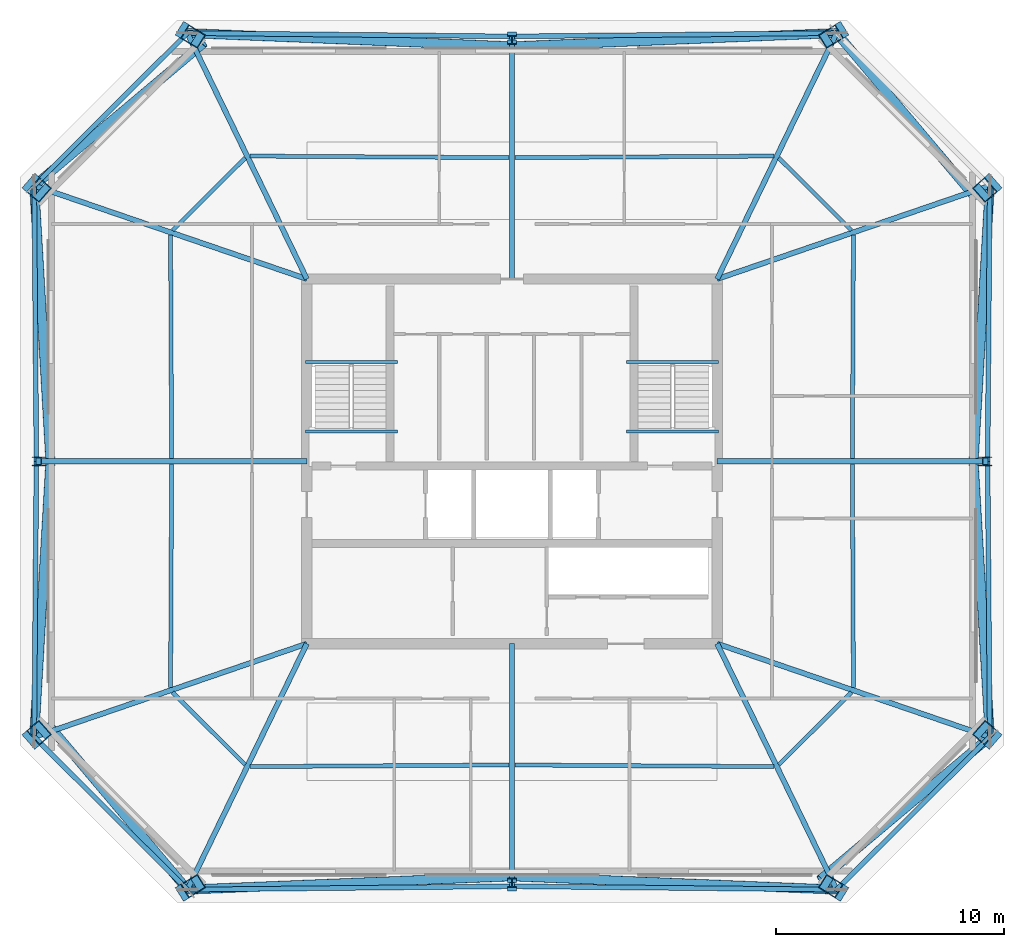
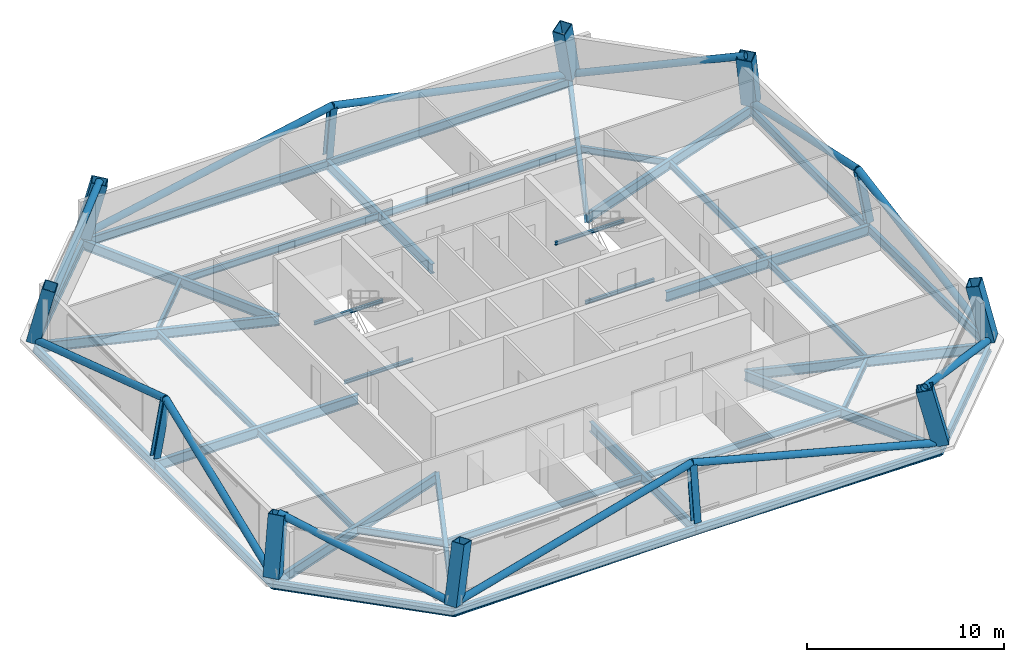
# One storey, part 1 of 6: 39 beams, 12 columns, 12 members.
"""IFC4 building model written with IfcOpenShell, lengths in metres."""

from ifc_helpers import new_model, si_unit, direction, frame, origin, origin_2d, place, context, subcontext, project, spatial, hollow_rectangle, hollow_circle, i_section, extrude, material, material_profile, profile_set, type_object, element, save


model = new_model("IFC4")

# Units and contexts
model_context = context("Model", 3, precision=1e-05, world=origin(), true_north=direction((0.0, 1.0)))
body_context = subcontext(model_context, "Body", "Model", "MODEL_VIEW")
ifc_project = project(units=[si_unit("LENGTHUNIT", "METRE"), si_unit("AREAUNIT", "SQUARE_METRE"), si_unit("VOLUMEUNIT", "CUBIC_METRE"), si_unit("PLANEANGLEUNIT", "RADIAN"), si_unit("MASSUNIT", "GRAM", prefix="KILO")], contexts=[model_context])

# Site, building, storey
site_placement = place(None, origin())
site = spatial("IfcSite", under=ifc_project, at=site_placement, CompositionType="ELEMENT")
building_placement = place(site_placement, origin())
building = spatial("IfcBuilding", under=site, at=building_placement, Name="Caelvoria Tower", CompositionType="ELEMENT")
storey_placement = place(building_placement, frame((0.0, 0.0, 216.60009765625)))
storey = spatial("IfcBuildingStorey", under=building, at=storey_placement, Name="L57", CompositionType="ELEMENT", Elevation=216.60009765625)

# Columns
ifc_material_1 = material(Name="Structural Steel ASTM A572 Gr.50", Category="steel")
ifc_material_profile_1 = material_profile(ifc_material_1, hollow_rectangle(XDim=0.699951171875, YDim=0.85009765625, WallThickness=0.0400390625, at=origin_2d()), Name="Structural Steel ASTM A572 Gr.50")
ifc_profile_set_1 = profile_set([ifc_material_profile_1], Name="BOX850X700X40 - Structural Steel ASTM A572 Gr.50")
column_type_1 = type_object("IfcColumnType", Name="Mega Box Column 850x700x40", PredefinedType="COLUMN", material=ifc_profile_set_1)
for number, where, z_axis, x_axis, name in (
    (1, (31.757568359375, 13.210205078125, 0.0), (0.205790080225, 0.127126295292, 0.970303740035), (-0.525554697107, 0.850759813548, 0.0), "Perimeter Megaframe Column L57-P00"),
    (2, (60.242431640625, 13.210205078125, 0.0), (-0.205790080225, 0.127126295292, 0.970303740035), (-0.525554697107, -0.850759813548, 0.0), "Perimeter Megaframe Column L57-P02"),
):
    element("IfcColumn", number, at=place(storey_placement, frame(where, z_axis=z_axis, x_axis=x_axis)), inside=storey, type_object=column_type_1, Name=name, PredefinedType="COLUMN", context=body_context, shape_type="SweptSolid", body=[
        extrude(hollow_rectangle(XDim=0.699951171875, YDim=0.85009765625, WallThickness=0.0400390625, at=origin_2d()), origin(), (0.0, 0.0, 1.0), 3.47607421875),
    ])
for number, where, z_axis, x_axis, name in (
    (3, (66.962890625, 19.9052734375, 0.0), (-0.177528506803, 0.155864964768, 0.97169426366), (0.730198143029, -0.641093139838, 0.236241947947), "Perimeter Megaframe Column L57-P03"),
    (4, (66.962890625, 44.0947265625, 0.0), (-0.177528506803, -0.155864964768, 0.97169426366), (0.730198143029, 0.641093139838, 0.236241947947), "Perimeter Megaframe Column L57-P05"),
):
    element("IfcColumn", number, at=place(storey_placement, frame(where, z_axis=z_axis, x_axis=x_axis)), inside=storey, type_object=column_type_1, Name=name, PredefinedType="COLUMN", context=body_context, shape_type="SweptSolid", body=[
        extrude(hollow_rectangle(XDim=0.699951171875, YDim=0.85009765625, WallThickness=0.0400390625, at=origin_2d()), origin(), (0.0, 0.0, 1.0), 3.470947265625),
    ])
for number, where, z_axis, x_axis, name in (
    (5, (60.242431640625, 50.789794921875, 0.0), (-0.205790080225, -0.127126295292, 0.970303740035), (0.525554697107, -0.850759813548, 0.0), "Perimeter Megaframe Column L57-P06"),
    (6, (31.757568359375, 50.789794921875, 0.0), (0.205790080225, -0.127126295292, 0.970303740035), (0.525554697107, 0.850759813548, 0.0), "Perimeter Megaframe Column L57-P08"),
):
    element("IfcColumn", number, at=place(storey_placement, frame(where, z_axis=z_axis, x_axis=x_axis)), inside=storey, type_object=column_type_1, Name=name, PredefinedType="COLUMN", context=body_context, shape_type="SweptSolid", body=[
        extrude(hollow_rectangle(XDim=0.699951171875, YDim=0.85009765625, WallThickness=0.0400390625, at=origin_2d()), origin(), (0.0, 0.0, 1.0), 3.47607421875),
    ])
for number, where, z_axis, x_axis, name in (
    (7, (25.037109375, 44.0947265625, 0.0), (0.177528506803, -0.155864964768, 0.97169426366), (-0.730198143029, 0.641093139838, 0.236241947947), "Perimeter Megaframe Column L57-P09"),
    (8, (25.037109375, 19.9052734375, 0.0), (0.177528506803, 0.155864964768, 0.97169426366), (-0.730198143029, -0.641093139838, 0.236241947947), "Perimeter Megaframe Column L57-P11"),
):
    element("IfcColumn", number, at=place(storey_placement, frame(where, z_axis=z_axis, x_axis=x_axis)), inside=storey, type_object=column_type_1, Name=name, PredefinedType="COLUMN", context=body_context, shape_type="SweptSolid", body=[
        extrude(hollow_rectangle(XDim=0.699951171875, YDim=0.85009765625, WallThickness=0.0400390625, at=origin_2d()), origin(), (0.0, 0.0, 1.0), 3.470947265625),
    ])
ifc_material_2 = material(Name="Structural Steel ASTM A992 Gr.50", Category="steel")
ifc_material_profile_2 = material_profile(ifc_material_2, i_section(OverallWidth=0.40087890625, OverallDepth=0.39892578125, WebThickness=0.02490234375, FlangeThickness=0.03955078125, FilletRadius=0.02490234375, at=origin_2d()), Name="Structural Steel ASTM A992 Gr.50")
ifc_profile_set_2 = profile_set([ifc_material_profile_2], Name="W360X314 - Structural Steel ASTM A992 Gr.50")
column_type_2 = type_object("IfcColumnType", Name="Upper Frame Column W360X314", PredefinedType="COLUMN", material=ifc_profile_set_2)
column_1_placement = place(storey_placement, frame((46.0, 13.3564453125, 0.0), z_axis=(0.0, 0.128283388035, 0.991737552155), x_axis=(-1.0, 0.0, 0.0)))
element("IfcColumn", 9, at=column_1_placement, inside=storey, type_object=column_type_2, Name="Perimeter Megaframe Column L57-P01", PredefinedType="COLUMN", context=body_context, shape_type="SweptSolid", body=[
    extrude(i_section(OverallWidth=0.40087890625, OverallDepth=0.39892578125, WebThickness=0.02490234375, FlangeThickness=0.03955078125, FilletRadius=0.02490234375, at=origin_2d()), origin(), (0.0, 0.0, 1.0), 3.40087890625),
])
column_2_placement = place(storey_placement, frame((66.866455078125, 32.0, 0.0), z_axis=(-0.17903584331, 0.0, 0.98384255184), x_axis=(0.98384255184, 0.0, 0.17903584331)))
element("IfcColumn", 10, at=column_2_placement, inside=storey, type_object=column_type_2, Name="Perimeter Megaframe Column L57-P04", PredefinedType="COLUMN", context=body_context, shape_type="SweptSolid", body=[
    extrude(i_section(OverallWidth=0.40087890625, OverallDepth=0.39892578125, WebThickness=0.02490234375, FlangeThickness=0.03955078125, FilletRadius=0.02490234375, at=origin_2d()), origin(), (0.0, 0.0, 1.0), 3.42822265625),
])
column_3_placement = place(storey_placement, frame((46.0, 50.6435546875, 0.0), z_axis=(0.0, -0.128283388035, 0.991737552155), x_axis=(1.0, 0.0, 0.0)))
element("IfcColumn", 11, at=column_3_placement, inside=storey, type_object=column_type_2, Name="Perimeter Megaframe Column L57-P07", PredefinedType="COLUMN", context=body_context, shape_type="SweptSolid", body=[
    extrude(i_section(OverallWidth=0.40087890625, OverallDepth=0.39892578125, WebThickness=0.02490234375, FlangeThickness=0.03955078125, FilletRadius=0.02490234375, at=origin_2d()), origin(), (0.0, 0.0, 1.0), 3.40087890625),
])
column_4_placement = place(storey_placement, frame((25.133544921875, 32.0, 0.0), z_axis=(0.17903584331, 0.0, 0.98384255184), x_axis=(-0.98384255184, 0.0, 0.17903584331)))
element("IfcColumn", 12, at=column_4_placement, inside=storey, type_object=column_type_2, Name="Perimeter Megaframe Column L57-P10", PredefinedType="COLUMN", context=body_context, shape_type="SweptSolid", body=[
    extrude(i_section(OverallWidth=0.40087890625, OverallDepth=0.39892578125, WebThickness=0.02490234375, FlangeThickness=0.03955078125, FilletRadius=0.02490234375, at=origin_2d()), origin(), (0.0, 0.0, 1.0), 3.42822265625),
])

# Beams
ifc_material_profile_3 = material_profile(ifc_material_2, i_section(OverallWidth=0.134033203125, OverallDepth=0.2099609375, WebThickness=0.00634765625, FlangeThickness=0.01025390625, FilletRadius=0.010009765625, at=origin_2d()), Name="Structural Steel ASTM A992 Gr.50")
ifc_profile_set_3 = profile_set([ifc_material_profile_3], Name="W200X31.3 - Structural Steel ASTM A992 Gr.50")
beam_type_1 = type_object("IfcBeamType", Name="Canopy Edge Trim Beam W200X31.3", PredefinedType="BEAM", material=ifc_profile_set_3)
for number, where, z_axis, x_axis, name in (
    (13, (36.929931640625, 36.35009765625, 1.494873046875), (1.0, 0.0, 0.0), (0.0, 1.0, 0.0), "ST-01 Half-Landing Support Beam L57"),
    (14, (36.929931640625, 33.300048828125, -0.30517578125), (1.0, 0.0, 0.0), (0.0, 1.0, 0.0), "ST-01 Floor-Landing Support Beam L57"),
    (15, (51.030029296875, 36.35009765625, 1.494873046875), (1.0, 0.0, 0.0), (0.0, 1.0, 0.0), "ST-02 Half-Landing Support Beam L57"),
    (16, (51.030029296875, 33.300048828125, -0.30517578125), (1.0, 0.0, 0.0), (0.0, 1.0, 0.0), "ST-02 Floor-Landing Support Beam L57"),
):
    element("IfcBeam", number, at=place(storey_placement, frame(where, z_axis=z_axis, x_axis=x_axis)), inside=storey, type_object=beam_type_1, Name=name, PredefinedType="BEAM", context=body_context, shape_type="SweptSolid", body=[
        extrude(i_section(OverallWidth=0.134033203125, OverallDepth=0.2099609375, WebThickness=0.00634765625, FlangeThickness=0.01025390625, FilletRadius=0.010009765625, at=origin_2d()), origin(), (0.0, 0.0, 1.0), 4.0400390625),
    ])
ifc_material_profile_4 = material_profile(ifc_material_2, i_section(OverallWidth=0.22802734375, OverallDepth=0.60302734375, WebThickness=0.010498046875, FlangeThickness=0.014892578125, FilletRadius=0.01806640625, at=origin_2d()), Name="Structural Steel ASTM A992 Gr.50")
ifc_profile_set_4 = profile_set([ifc_material_profile_4], Name="W610X101 - Structural Steel ASTM A992 Gr.50")
beam_type_2 = type_object("IfcBeamType", Name="Primary Floor Girder W610X101", PredefinedType="BEAM", material=ifc_profile_set_4)
beam_1_placement = place(storey_placement, frame((37.0, 24.0, -0.526611328125), z_axis=(-0.437016876181, -0.899453306144, 0.0), x_axis=(0.899453306144, -0.437016876181, 0.0)))
element("IfcBeam", 17, at=beam_1_placement, inside=storey, type_object=beam_type_2, Name="Primary Floor Girder L57-00", PredefinedType="BEAM", context=body_context, shape_type="SweptSolid", body=[
    extrude(i_section(OverallWidth=0.22802734375, OverallDepth=0.60302734375, WebThickness=0.010498046875, FlangeThickness=0.014892578125, FilletRadius=0.01806640625, at=origin_2d()), origin(), (0.0, 0.0, 1.0), 11.995849609375),
])
beam_2_placement = place(storey_placement, frame((46.0, 24.0, -0.526611328125), z_axis=(0.0, -1.0, 0.0), x_axis=(1.0, 0.0, 0.0)))
element("IfcBeam", 18, at=beam_2_placement, inside=storey, type_object=beam_type_2, Name="Primary Floor Girder L57-01", PredefinedType="BEAM", context=body_context, shape_type="SweptSolid", body=[
    extrude(i_section(OverallWidth=0.22802734375, OverallDepth=0.60302734375, WebThickness=0.010498046875, FlangeThickness=0.014892578125, FilletRadius=0.01806640625, at=origin_2d()), origin(), (0.0, 0.0, 1.0), 10.6435546875),
])
beam_3_placement = place(storey_placement, frame((55.0, 24.0, -0.526611328125), z_axis=(0.437016876181, -0.899453306144, 0.0), x_axis=(0.899453306144, 0.437016876181, 0.0)))
element("IfcBeam", 19, at=beam_3_placement, inside=storey, type_object=beam_type_2, Name="Primary Floor Girder L57-02", PredefinedType="BEAM", context=body_context, shape_type="SweptSolid", body=[
    extrude(i_section(OverallWidth=0.22802734375, OverallDepth=0.60302734375, WebThickness=0.010498046875, FlangeThickness=0.014892578125, FilletRadius=0.01806640625, at=origin_2d()), origin(), (0.0, 0.0, 1.0), 11.995849609375),
])
beam_4_placement = place(storey_placement, frame((55.0, 24.0, -0.526611328125), z_axis=(0.946111685505, -0.323840514067, 0.0), x_axis=(0.323840514067, 0.946111685505, 0.0)))
element("IfcBeam", 20, at=beam_4_placement, inside=storey, type_object=beam_type_2, Name="Primary Floor Girder L57-03", PredefinedType="BEAM", context=body_context, shape_type="SweptSolid", body=[
    extrude(i_section(OverallWidth=0.22802734375, OverallDepth=0.60302734375, WebThickness=0.010498046875, FlangeThickness=0.014892578125, FilletRadius=0.01806640625, at=origin_2d()), origin(), (0.0, 0.0, 1.0), 12.644287109375),
])
beam_5_placement = place(storey_placement, frame((55.0, 32.0, -0.526611328125), z_axis=(1.0, 0.0, 0.0), x_axis=(0.0, 1.0, 0.0)))
element("IfcBeam", 21, at=beam_5_placement, inside=storey, type_object=beam_type_2, Name="Primary Floor Girder L57-04", PredefinedType="BEAM", context=body_context, shape_type="SweptSolid", body=[
    extrude(i_section(OverallWidth=0.22802734375, OverallDepth=0.60302734375, WebThickness=0.010498046875, FlangeThickness=0.014892578125, FilletRadius=0.01806640625, at=origin_2d()), origin(), (0.0, 0.0, 1.0), 11.866455078125),
])
beam_6_placement = place(storey_placement, frame((55.0, 40.0, -0.526611328125), z_axis=(0.946111685505, 0.323840514067, 0.0), x_axis=(-0.323840514067, 0.946111685505, 0.0)))
element("IfcBeam", 22, at=beam_6_placement, inside=storey, type_object=beam_type_2, Name="Primary Floor Girder L57-05", PredefinedType="BEAM", context=body_context, shape_type="SweptSolid", body=[
    extrude(i_section(OverallWidth=0.22802734375, OverallDepth=0.60302734375, WebThickness=0.010498046875, FlangeThickness=0.014892578125, FilletRadius=0.01806640625, at=origin_2d()), origin(), (0.0, 0.0, 1.0), 12.644287109375),
])
beam_7_placement = place(storey_placement, frame((55.0, 40.0, -0.526611328125), z_axis=(0.437016876181, 0.899453306144, 0.0), x_axis=(-0.899453306144, 0.437016876181, 0.0)))
element("IfcBeam", 23, at=beam_7_placement, inside=storey, type_object=beam_type_2, Name="Primary Floor Girder L57-06", PredefinedType="BEAM", context=body_context, shape_type="SweptSolid", body=[
    extrude(i_section(OverallWidth=0.22802734375, OverallDepth=0.60302734375, WebThickness=0.010498046875, FlangeThickness=0.014892578125, FilletRadius=0.01806640625, at=origin_2d()), origin(), (0.0, 0.0, 1.0), 11.995849609375),
])
beam_8_placement = place(storey_placement, frame((46.0, 40.0, -0.526611328125), z_axis=(0.0, 1.0, 0.0), x_axis=(-1.0, 0.0, 0.0)))
element("IfcBeam", 24, at=beam_8_placement, inside=storey, type_object=beam_type_2, Name="Primary Floor Girder L57-07", PredefinedType="BEAM", context=body_context, shape_type="SweptSolid", body=[
    extrude(i_section(OverallWidth=0.22802734375, OverallDepth=0.60302734375, WebThickness=0.010498046875, FlangeThickness=0.014892578125, FilletRadius=0.01806640625, at=origin_2d()), origin(), (0.0, 0.0, 1.0), 10.6435546875),
])
beam_9_placement = place(storey_placement, frame((37.0, 40.0, -0.526611328125), z_axis=(-0.437016876181, 0.899453306144, 0.0), x_axis=(-0.899453306144, -0.437016876181, 0.0)))
element("IfcBeam", 25, at=beam_9_placement, inside=storey, type_object=beam_type_2, Name="Primary Floor Girder L57-08", PredefinedType="BEAM", context=body_context, shape_type="SweptSolid", body=[
    extrude(i_section(OverallWidth=0.22802734375, OverallDepth=0.60302734375, WebThickness=0.010498046875, FlangeThickness=0.014892578125, FilletRadius=0.01806640625, at=origin_2d()), origin(), (0.0, 0.0, 1.0), 11.995849609375),
])
beam_10_placement = place(storey_placement, frame((37.0, 40.0, -0.526611328125), z_axis=(-0.946111685505, 0.323840514067, 0.0), x_axis=(-0.323840514067, -0.946111685505, 0.0)))
element("IfcBeam", 26, at=beam_10_placement, inside=storey, type_object=beam_type_2, Name="Primary Floor Girder L57-09", PredefinedType="BEAM", context=body_context, shape_type="SweptSolid", body=[
    extrude(i_section(OverallWidth=0.22802734375, OverallDepth=0.60302734375, WebThickness=0.010498046875, FlangeThickness=0.014892578125, FilletRadius=0.01806640625, at=origin_2d()), origin(), (0.0, 0.0, 1.0), 12.644287109375),
])
beam_11_placement = place(storey_placement, frame((37.0, 32.0, -0.526611328125), z_axis=(-1.0, 0.0, 0.0), x_axis=(0.0, -1.0, 0.0)))
element("IfcBeam", 27, at=beam_11_placement, inside=storey, type_object=beam_type_2, Name="Primary Floor Girder L57-10", PredefinedType="BEAM", context=body_context, shape_type="SweptSolid", body=[
    extrude(i_section(OverallWidth=0.22802734375, OverallDepth=0.60302734375, WebThickness=0.010498046875, FlangeThickness=0.014892578125, FilletRadius=0.01806640625, at=origin_2d()), origin(), (0.0, 0.0, 1.0), 11.866455078125),
])
beam_12_placement = place(storey_placement, frame((37.0, 24.0, -0.526611328125), z_axis=(-0.946111685505, -0.323840514067, 0.0), x_axis=(0.323840514067, -0.946111685505, 0.0)))
element("IfcBeam", 28, at=beam_12_placement, inside=storey, type_object=beam_type_2, Name="Primary Floor Girder L57-11", PredefinedType="BEAM", context=body_context, shape_type="SweptSolid", body=[
    extrude(i_section(OverallWidth=0.22802734375, OverallDepth=0.60302734375, WebThickness=0.010498046875, FlangeThickness=0.014892578125, FilletRadius=0.01806640625, at=origin_2d()), origin(), (0.0, 0.0, 1.0), 12.644287109375),
])
ifc_material_profile_5 = material_profile(ifc_material_2, i_section(OverallWidth=0.177978515625, OverallDepth=0.406982421875, WebThickness=0.0078125, FlangeThickness=0.0126953125, FilletRadius=0.013916015625, at=origin_2d()), Name="Structural Steel ASTM A992 Gr.50")
ifc_profile_set_5 = profile_set([ifc_material_profile_5], Name="W410X60 - Structural Steel ASTM A992 Gr.50")
beam_type_3 = type_object("IfcBeamType", Name="Secondary Floor Beam W410X60", PredefinedType="BEAM", material=ifc_profile_set_5)
for number, where, z_axis, x_axis, name in (
    (29, (34.50390625, 18.60595703125, -0.4287109375), (0.999980213546, 0.006290669069, 0.0), (-0.006290669069, 0.999980213546, 0.0), "Secondary Floor Beam L57-00"),
    (30, (46.125, 18.677490234375, -0.4287109375), (0.999980213546, -0.006290669069, 0.0), (0.006290669069, 0.999980213546, 0.0), "Secondary Floor Beam L57-01"),
):
    element("IfcBeam", number, at=place(storey_placement, frame(where, z_axis=z_axis, x_axis=x_axis)), inside=storey, type_object=beam_type_3, Name=name, PredefinedType="BEAM", context=body_context, shape_type="SweptSolid", body=[
        extrude(i_section(OverallWidth=0.177978515625, OverallDepth=0.406982421875, WebThickness=0.0078125, FlangeThickness=0.0126953125, FilletRadius=0.013916015625, at=origin_2d()), origin(), (0.0, 0.0, 1.0), 11.371337890625),
    ])
beam_13_placement = place(storey_placement, frame((57.709716796875, 18.693359375, -0.4287109375), z_axis=(0.708436767567, 0.705774288536, 0.0), x_axis=(-0.705774288536, 0.708436767567, 0.0)))
element("IfcBeam", 31, at=beam_13_placement, inside=storey, type_object=beam_type_3, Name="Secondary Floor Beam L57-02", PredefinedType="BEAM", context=body_context, shape_type="SweptSolid", body=[
    extrude(i_section(OverallWidth=0.177978515625, OverallDepth=0.406982421875, WebThickness=0.0078125, FlangeThickness=0.0126953125, FilletRadius=0.013916015625, at=origin_2d()), origin(), (0.0, 0.0, 1.0), 4.4931640625),
])
for number, where, z_axis, x_axis, name in (
    (32, (60.980712890625, 22.07763671875, -0.4287109375), (-0.004784395776, 0.999988554713, 0.0), (-0.999988554713, -0.004784395776, 0.0), "Secondary Floor Beam L57-03"),
    (33, (60.933837890625, 32.125, -0.4287109375), (0.004784395776, 0.999988554713, 0.0), (-0.999988554713, 0.004784395776, 0.0), "Secondary Floor Beam L57-04"),
):
    element("IfcBeam", number, at=place(storey_placement, frame(where, z_axis=z_axis, x_axis=x_axis)), inside=storey, type_object=beam_type_3, Name=name, PredefinedType="BEAM", context=body_context, shape_type="SweptSolid", body=[
        extrude(i_section(OverallWidth=0.177978515625, OverallDepth=0.406982421875, WebThickness=0.0078125, FlangeThickness=0.0126953125, FilletRadius=0.013916015625, at=origin_2d()), origin(), (0.0, 0.0, 1.0), 9.79736328125),
    ])
beam_14_placement = place(storey_placement, frame((60.892822265625, 42.135498046875, -0.4287109375), z_axis=(-0.708436767567, 0.705774288536, 0.0), x_axis=(-0.705774288536, -0.708436767567, 0.0)))
element("IfcBeam", 34, at=beam_14_placement, inside=storey, type_object=beam_type_3, Name="Secondary Floor Beam L57-05", PredefinedType="BEAM", context=body_context, shape_type="SweptSolid", body=[
    extrude(i_section(OverallWidth=0.177978515625, OverallDepth=0.406982421875, WebThickness=0.0078125, FlangeThickness=0.0126953125, FilletRadius=0.013916015625, at=origin_2d()), origin(), (0.0, 0.0, 1.0), 4.4931640625),
])
for number, where, z_axis, x_axis, name in (
    (35, (57.49609375, 45.39404296875, -0.4287109375), (-0.999980213546, -0.006290669069, 0.0), (0.006290669069, -0.999980213546, 0.0), "Secondary Floor Beam L57-06"),
    (36, (45.875, 45.322509765625, -0.4287109375), (-0.999980213546, 0.006290669069, 0.0), (-0.006290669069, -0.999980213546, 0.0), "Secondary Floor Beam L57-07"),
):
    element("IfcBeam", number, at=place(storey_placement, frame(where, z_axis=z_axis, x_axis=x_axis)), inside=storey, type_object=beam_type_3, Name=name, PredefinedType="BEAM", context=body_context, shape_type="SweptSolid", body=[
        extrude(i_section(OverallWidth=0.177978515625, OverallDepth=0.406982421875, WebThickness=0.0078125, FlangeThickness=0.0126953125, FilletRadius=0.013916015625, at=origin_2d()), origin(), (0.0, 0.0, 1.0), 11.371337890625),
    ])
beam_15_placement = place(storey_placement, frame((34.290283203125, 45.306640625, -0.4287109375), z_axis=(-0.708436767567, -0.705774288536, 0.0), x_axis=(0.705774288536, -0.708436767567, 0.0)))
element("IfcBeam", 37, at=beam_15_placement, inside=storey, type_object=beam_type_3, Name="Secondary Floor Beam L57-08", PredefinedType="BEAM", context=body_context, shape_type="SweptSolid", body=[
    extrude(i_section(OverallWidth=0.177978515625, OverallDepth=0.406982421875, WebThickness=0.0078125, FlangeThickness=0.0126953125, FilletRadius=0.013916015625, at=origin_2d()), origin(), (0.0, 0.0, 1.0), 4.4931640625),
])
for number, where, z_axis, x_axis, name in (
    (38, (31.019287109375, 41.92236328125, -0.4287109375), (0.004784395776, -0.999988554713, 0.0), (0.999988554713, 0.004784395776, 0.0), "Secondary Floor Beam L57-09"),
    (39, (31.066162109375, 31.875, -0.4287109375), (-0.004784395776, -0.999988554713, 0.0), (0.999988554713, -0.004784395776, 0.0), "Secondary Floor Beam L57-10"),
):
    element("IfcBeam", number, at=place(storey_placement, frame(where, z_axis=z_axis, x_axis=x_axis)), inside=storey, type_object=beam_type_3, Name=name, PredefinedType="BEAM", context=body_context, shape_type="SweptSolid", body=[
        extrude(i_section(OverallWidth=0.177978515625, OverallDepth=0.406982421875, WebThickness=0.0078125, FlangeThickness=0.0126953125, FilletRadius=0.013916015625, at=origin_2d()), origin(), (0.0, 0.0, 1.0), 9.79736328125),
    ])
beam_16_placement = place(storey_placement, frame((31.107177734375, 21.864501953125, -0.4287109375), z_axis=(0.708436767567, -0.705774288536, 0.0), x_axis=(0.705774288536, 0.708436767567, 0.0)))
element("IfcBeam", 40, at=beam_16_placement, inside=storey, type_object=beam_type_3, Name="Secondary Floor Beam L57-11", PredefinedType="BEAM", context=body_context, shape_type="SweptSolid", body=[
    extrude(i_section(OverallWidth=0.177978515625, OverallDepth=0.406982421875, WebThickness=0.0078125, FlangeThickness=0.0126953125, FilletRadius=0.013916015625, at=origin_2d()), origin(), (0.0, 0.0, 1.0), 4.4931640625),
])

# Members
ifc_material_profile_6 = material_profile(ifc_material_1, hollow_circle(Radius=0.202880859375, WallThickness=0.01611328125, at=origin_2d()), Name="Structural Steel ASTM A572 Gr.50")
ifc_profile_set_6 = profile_set([ifc_material_profile_6], Name="CHS406X16 - Structural Steel ASTM A572 Gr.50")
member_type = type_object("IfcMemberType", Name="Upper Perimeter Mega Brace CHS406X16", PredefinedType="BRACE", material=ifc_profile_set_6)
member_1_placement = place(storey_placement, frame((66.962890625, 19.9052734375, 0.0), z_axis=(-0.722965547489, -0.60798228873, 0.32814380039), x_axis=(0.643621011793, -0.765344362479, 0.0)))
element("IfcMember", 41, at=member_1_placement, inside=storey, type_object=member_type, Name="Perimeter Chamfer Mega Brace L57 SE", PredefinedType="BRACE", context=body_context, shape_type="SweptSolid", body=[
    extrude(hollow_circle(Radius=0.202880859375, WallThickness=0.01611328125, at=origin_2d()), origin(), (0.0, 0.0, 1.0), 10.28515625),
])
member_2_placement = place(storey_placement, frame((60.242431640625, 50.789794921875, 0.0), z_axis=(0.607355152117, -0.719969577794, 0.335802808577), x_axis=(0.764353840839, 0.644797026974, 0.0)))
element("IfcMember", 42, at=member_2_placement, inside=storey, type_object=member_type, Name="Perimeter Chamfer Mega Brace L57 NE", PredefinedType="BRACE", context=body_context, shape_type="SweptSolid", body=[
    extrude(hollow_circle(Radius=0.202880859375, WallThickness=0.01611328125, at=origin_2d()), origin(), (0.0, 0.0, 1.0), 10.050537109375),
])
member_3_placement = place(storey_placement, frame((25.037109375, 44.0947265625, 0.0), z_axis=(0.722965547489, 0.60798228873, 0.32814380039), x_axis=(-0.643621011793, 0.765344362479, 0.0)))
element("IfcMember", 43, at=member_3_placement, inside=storey, type_object=member_type, Name="Perimeter Chamfer Mega Brace L57 NW", PredefinedType="BRACE", context=body_context, shape_type="SweptSolid", body=[
    extrude(hollow_circle(Radius=0.202880859375, WallThickness=0.01611328125, at=origin_2d()), origin(), (0.0, 0.0, 1.0), 10.28515625),
])
member_4_placement = place(storey_placement, frame((31.757568359375, 13.210205078125, 0.0), z_axis=(-0.607355152117, 0.719969577794, 0.335802808577), x_axis=(-0.764353840839, -0.644797026974, 0.0)))
element("IfcMember", 44, at=member_4_placement, inside=storey, type_object=member_type, Name="Perimeter Chamfer Mega Brace L57 SW", PredefinedType="BRACE", context=body_context, shape_type="SweptSolid", body=[
    extrude(hollow_circle(Radius=0.202880859375, WallThickness=0.01611328125, at=origin_2d()), origin(), (0.0, 0.0, 1.0), 10.050537109375),
])
for number, where, z_axis, x_axis, name in (
    (45, (31.757568359375, 13.210205078125, 0.0), (0.972283125238, 0.039766658155, 0.230399950688), (-0.040866119445, 0.99916463122, 0.0), "Perimeter Cardinal Mega Brace L57 SA"),
    (46, (60.242431640625, 13.210205078125, 0.0), (-0.972283125238, 0.039766658155, 0.230399950688), (-0.040866119445, -0.99916463122, 0.0), "Perimeter Cardinal Mega Brace L57 SB"),
):
    element("IfcMember", number, at=place(storey_placement, frame(where, z_axis=z_axis, x_axis=x_axis)), inside=storey, type_object=member_type, Name=name, PredefinedType="BRACE", context=body_context, shape_type="SweptSolid", body=[
        extrude(hollow_circle(Radius=0.202880859375, WallThickness=0.01611328125, at=origin_2d()), origin(), (0.0, 0.0, 1.0), 14.6484375),
    ])
for number, where, z_axis, x_axis, name in (
    (47, (66.962890625, 19.9052734375, 0.0), (-0.056469185038, 0.96166497999, 0.268349953237), (-0.998280413184, -0.058619251553, 0.0), "Perimeter Cardinal Mega Brace L57 EA"),
    (48, (66.962890625, 44.0947265625, 0.0), (-0.056469185038, -0.96166497999, 0.268349953237), (0.998280413184, -0.058619251553, 0.0), "Perimeter Cardinal Mega Brace L57 EB"),
):
    element("IfcMember", number, at=place(storey_placement, frame(where, z_axis=z_axis, x_axis=x_axis)), inside=storey, type_object=member_type, Name=name, PredefinedType="BRACE", context=body_context, shape_type="SweptSolid", body=[
        extrude(hollow_circle(Radius=0.202880859375, WallThickness=0.01611328125, at=origin_2d()), origin(), (0.0, 0.0, 1.0), 12.576904296875),
    ])
for number, where, z_axis, x_axis, name in (
    (49, (60.242431640625, 50.789794921875, 0.0), (-0.972283125238, -0.039766658155, 0.230399950688), (0.040866119445, -0.99916463122, 0.0), "Perimeter Cardinal Mega Brace L57 NA"),
    (50, (31.757568359375, 50.789794921875, 0.0), (0.972283125238, -0.039766658155, 0.230399950688), (0.040866119445, 0.99916463122, 0.0), "Perimeter Cardinal Mega Brace L57 NB"),
):
    element("IfcMember", number, at=place(storey_placement, frame(where, z_axis=z_axis, x_axis=x_axis)), inside=storey, type_object=member_type, Name=name, PredefinedType="BRACE", context=body_context, shape_type="SweptSolid", body=[
        extrude(hollow_circle(Radius=0.202880859375, WallThickness=0.01611328125, at=origin_2d()), origin(), (0.0, 0.0, 1.0), 14.6484375),
    ])
for number, where, z_axis, x_axis, name in (
    (51, (25.037109375, 44.0947265625, 0.0), (0.056469185038, -0.96166497999, 0.268349953237), (0.998280413184, 0.058619251553, 0.0), "Perimeter Cardinal Mega Brace L57 WA"),
    (52, (25.037109375, 19.9052734375, 0.0), (0.056469185038, 0.96166497999, 0.268349953237), (-0.998280413184, 0.058619251553, 0.0), "Perimeter Cardinal Mega Brace L57 WB"),
):
    element("IfcMember", number, at=place(storey_placement, frame(where, z_axis=z_axis, x_axis=x_axis)), inside=storey, type_object=member_type, Name=name, PredefinedType="BRACE", context=body_context, shape_type="SweptSolid", body=[
        extrude(hollow_circle(Radius=0.202880859375, WallThickness=0.01611328125, at=origin_2d()), origin(), (0.0, 0.0, 1.0), 12.576904296875),
    ])

# Beams
ifc_material_profile_7 = material_profile(ifc_material_2, i_section(OverallWidth=0.208984375, OverallDepth=0.532958984375, WebThickness=0.01025390625, FlangeThickness=0.015625, FilletRadius=0.01611328125, at=origin_2d()), Name="Structural Steel ASTM A992 Gr.50")
ifc_profile_set_7 = profile_set([ifc_material_profile_7], Name="W530X92 - Structural Steel ASTM A992 Gr.50")
beam_type_4 = type_object("IfcBeamType", Name="Upper Zone Spandrel W530X92", PredefinedType="BEAM", material=ifc_profile_set_7)
for number, where, z_axis, x_axis, name in (
    (53, (31.757568359375, 13.210205078125, -0.49169921875), (0.999947289016, 0.010267384784, 0.0), (-0.010267384784, 0.999947289016, 0.0), "Perimeter Spandrel Girder L57-00"),
    (54, (46.0, 13.3564453125, -0.49169921875), (0.999947289016, -0.010267384784, 0.0), (0.010267384784, 0.999947289016, 0.0), "Perimeter Spandrel Girder L57-01"),
):
    element("IfcBeam", number, at=place(storey_placement, frame(where, z_axis=z_axis, x_axis=x_axis)), inside=storey, type_object=beam_type_4, Name=name, PredefinedType="BEAM", context=body_context, shape_type="SweptSolid", body=[
        extrude(i_section(OverallWidth=0.208984375, OverallDepth=0.532958984375, WebThickness=0.01025390625, FlangeThickness=0.015625, FilletRadius=0.01611328125, at=origin_2d()), origin(), (0.0, 0.0, 1.0), 14.2431640625),
    ])
beam_17_placement = place(storey_placement, frame((60.242431640625, 13.210205078125, -0.49169921875), z_axis=(0.708443803617, 0.705767225873, 0.0), x_axis=(-0.705767225873, 0.708443803617, 0.0)))
element("IfcBeam", 55, at=beam_17_placement, inside=storey, type_object=beam_type_4, Name="Perimeter Spandrel Girder L57-02", PredefinedType="BEAM", context=body_context, shape_type="SweptSolid", body=[
    extrude(i_section(OverallWidth=0.208984375, OverallDepth=0.532958984375, WebThickness=0.01025390625, FlangeThickness=0.015625, FilletRadius=0.01611328125, at=origin_2d()), origin(), (0.0, 0.0, 1.0), 9.486328125),
])
for number, where, z_axis, x_axis, name in (
    (56, (66.962890625, 19.9052734375, -0.49169921875), (-0.007973101426, 0.999968214322, 0.0), (-0.999968214322, -0.007973101426, 0.0), "Perimeter Spandrel Girder L57-03"),
    (57, (66.866455078125, 32.0, -0.49169921875), (0.007973101426, 0.999968214322, 0.0), (-0.999968214322, 0.007973101426, 0.0), "Perimeter Spandrel Girder L57-04"),
):
    element("IfcBeam", number, at=place(storey_placement, frame(where, z_axis=z_axis, x_axis=x_axis)), inside=storey, type_object=beam_type_4, Name=name, PredefinedType="BEAM", context=body_context, shape_type="SweptSolid", body=[
        extrude(i_section(OverallWidth=0.208984375, OverallDepth=0.532958984375, WebThickness=0.01025390625, FlangeThickness=0.015625, FilletRadius=0.01611328125, at=origin_2d()), origin(), (0.0, 0.0, 1.0), 12.09521484375),
    ])
for number, where, z_axis, x_axis, name in (
    (58, (60.242431640625, 50.789794921875, -0.49169921875), (-0.999947289016, -0.010267384784, 0.0), (0.010267384784, -0.999947289016, 0.0), "Perimeter Spandrel Girder L57-06"),
    (59, (46.0, 50.6435546875, -0.49169921875), (-0.999947289016, 0.010267384784, 0.0), (-0.010267384784, -0.999947289016, 0.0), "Perimeter Spandrel Girder L57-07"),
):
    element("IfcBeam", number, at=place(storey_placement, frame(where, z_axis=z_axis, x_axis=x_axis)), inside=storey, type_object=beam_type_4, Name=name, PredefinedType="BEAM", context=body_context, shape_type="SweptSolid", body=[
        extrude(i_section(OverallWidth=0.208984375, OverallDepth=0.532958984375, WebThickness=0.01025390625, FlangeThickness=0.015625, FilletRadius=0.01611328125, at=origin_2d()), origin(), (0.0, 0.0, 1.0), 14.2431640625),
    ])
beam_18_placement = place(storey_placement, frame((31.757568359375, 50.789794921875, -0.49169921875), z_axis=(-0.708443803617, -0.705767225873, 0.0), x_axis=(0.705767225873, -0.708443803617, 0.0)))
element("IfcBeam", 60, at=beam_18_placement, inside=storey, type_object=beam_type_4, Name="Perimeter Spandrel Girder L57-08", PredefinedType="BEAM", context=body_context, shape_type="SweptSolid", body=[
    extrude(i_section(OverallWidth=0.208984375, OverallDepth=0.532958984375, WebThickness=0.01025390625, FlangeThickness=0.015625, FilletRadius=0.01611328125, at=origin_2d()), origin(), (0.0, 0.0, 1.0), 9.486328125),
])
for number, where, z_axis, x_axis, name in (
    (61, (25.037109375, 44.0947265625, -0.49169921875), (0.007973101426, -0.999968214322, 0.0), (0.999968214322, 0.007973101426, 0.0), "Perimeter Spandrel Girder L57-09"),
    (62, (25.133544921875, 32.0, -0.49169921875), (-0.007973101426, -0.999968214322, 0.0), (0.999968214322, -0.007973101426, 0.0), "Perimeter Spandrel Girder L57-10"),
):
    element("IfcBeam", number, at=place(storey_placement, frame(where, z_axis=z_axis, x_axis=x_axis)), inside=storey, type_object=beam_type_4, Name=name, PredefinedType="BEAM", context=body_context, shape_type="SweptSolid", body=[
        extrude(i_section(OverallWidth=0.208984375, OverallDepth=0.532958984375, WebThickness=0.01025390625, FlangeThickness=0.015625, FilletRadius=0.01611328125, at=origin_2d()), origin(), (0.0, 0.0, 1.0), 12.09521484375),
    ])
beam_19_placement = place(storey_placement, frame((25.037109375, 19.9052734375, -0.49169921875), z_axis=(0.708443803617, -0.705767225873, 0.0), x_axis=(0.705767225873, 0.708443803617, 0.0)))
element("IfcBeam", 63, at=beam_19_placement, inside=storey, type_object=beam_type_4, Name="Perimeter Spandrel Girder L57-11", PredefinedType="BEAM", context=body_context, shape_type="SweptSolid", body=[
    extrude(i_section(OverallWidth=0.208984375, OverallDepth=0.532958984375, WebThickness=0.01025390625, FlangeThickness=0.015625, FilletRadius=0.01611328125, at=origin_2d()), origin(), (0.0, 0.0, 1.0), 9.486328125),
])

save(model, "model.ifc")
